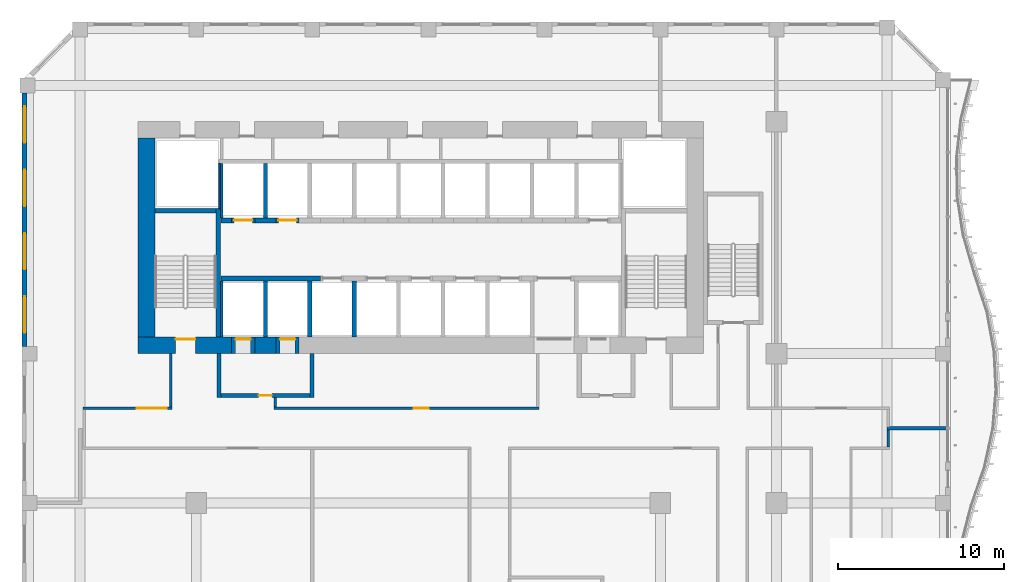
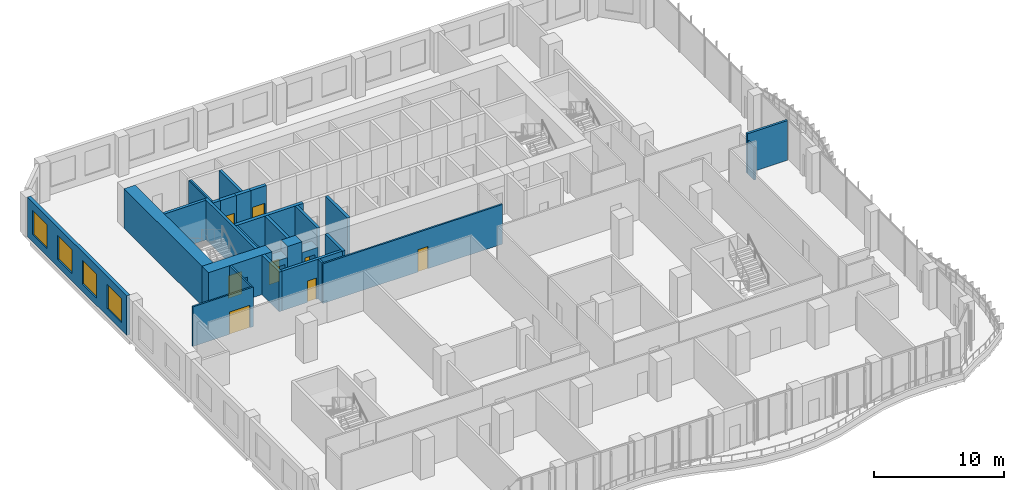
# One storey, part 15 of 28: 29 walls, 8 doors, 4 windows, 12 openings.
"""IFC4 building model written with IfcOpenShell, lengths in metres."""

from ifc_helpers import new_model, si_unit, direction, frame, frame_2d, origin, place, context, subcontext, project, spatial, rectangle, extrude, source, transform, mapped, material, layer, layer_set, type_object, element, fill, save


model = new_model("IFC4")

# Units and contexts
model_context = context("Model", 3, precision=1e-05, world=origin(), true_north=direction((0.0, 1.0)))
body_context = subcontext(model_context, "Body", "Model", "MODEL_VIEW")
ifc_project = project(units=[si_unit("LENGTHUNIT", "METRE"), si_unit("AREAUNIT", "SQUARE_METRE"), si_unit("VOLUMEUNIT", "CUBIC_METRE"), si_unit("PLANEANGLEUNIT", "RADIAN"), si_unit("MASSUNIT", "GRAM", prefix="KILO")], contexts=[model_context])

# Site, building, storey
site_placement = place(None, origin())
site = spatial("IfcSite", under=ifc_project, at=site_placement, CompositionType="ELEMENT")
building_placement = place(site_placement, origin())
building = spatial("IfcBuilding", under=site, at=building_placement, Name="Kilnfold Tower and Market Hall", CompositionType="ELEMENT")
storey_placement = place(building_placement, frame((0.0, 0.0, 75.199951171875)))
storey = spatial("IfcBuildingStorey", under=building, at=storey_placement, Name="L17", CompositionType="ELEMENT", Elevation=75.199951171875)

# Wall, opening, door
ifc_material_1 = material(Name="Gypsum board on steel studs", Category="steel")
ifc_layer_1 = layer(ifc_material_1, 0.14990234375)
ifc_layer_set_1 = layer_set([ifc_layer_1], Name="Gypsum board on steel studs")
wall_type_1 = type_object("IfcWallType", Name="WALL CORRIDOR 150", PredefinedType="PARTITIONING", material=ifc_layer_set_1)
wall_1_placement = place(storey_placement, frame((-19.324951171875, 4.699951171875, 0.0), z_axis=(0.0, 0.0, 1.0), x_axis=(1.0, 0.0, 0.0)))
wall_1 = element("IfcWall", 1, at=wall_1_placement, inside=storey, type_object=wall_type_1, Name="Partition LY13.7", PredefinedType="PARTITIONING", context=body_context, shape_type="SweptSolid", body=[
    extrude(rectangle(XDim=5.349853515625, YDim=0.14990234375, at=frame_2d((2.6748046875, 0.0))), origin(), (0.0, 0.0, 1.0), 3.719970703125),
])
opening_1_placement = place(wall_1_placement, frame((3.248046875, 0.0, 0.0)))
opening_1 = element("IfcOpeningElement", 2, at=opening_1_placement, cuts=wall_1, Name="Opening D5", PredefinedType="OPENING", context=body_context, shape_type="SweptSolid", body=[
    extrude(rectangle(XDim=1.800048828125, YDim=2.10009765625, at=frame_2d((0.89990234375, 1.050048828125))), frame((0.0, 0.0849609375, 0.0), z_axis=(0.0, -1.0, 0.0), x_axis=(1.0, 0.0, 0.0)), (0.0, 0.0, 1.0), 0.169921875),
])
ifc_material_2 = material(Name="Timber veneer door leaf in steel frame", Category="steel")
door_type_1 = type_object("IfcDoorType", Name="DOOR DOUBLE 1800 X2100", OperationType="NOTDEFINED", PredefinedType="DOOR", material=ifc_material_2)
door_1_placement = place(opening_1_placement, origin())
door_1 = element("IfcDoor", 3, at=door_1_placement, inside=storey, type_object=door_type_1, Name="Door D5", OperationType="DOUBLE_DOOR_SINGLE_SWING", OverallHeight=2.10009765625, OverallWidth=1.800048828125, PredefinedType="DOOR", context=body_context, shape_type="SweptSolid", body=[
    extrude(rectangle(XDim=1.800048828125, YDim=2.10009765625, at=frame_2d((0.89990234375, 1.050048828125))), frame((0.0, 0.02490234375, 0.0), z_axis=(0.0, -1.0, 0.0), x_axis=(1.0, 0.0, 0.0)), (0.0, 0.0, 1.0), 0.050048828125),
])
fill(opening_1, door_1)

# Walls
wall_2_placement = place(storey_placement, frame((-14.050048828125, 8.0, 0.0), z_axis=(0.0, 0.0, 1.0), x_axis=(0.0, -1.0, 0.0)))
element("IfcWall", 4, at=wall_2_placement, inside=storey, type_object=wall_type_1, Name="Partition LY13.8", PredefinedType="PARTITIONING", context=body_context, shape_type="SweptSolid", body=[
    extrude(rectangle(XDim=3.22509765625, YDim=0.14990234375, at=frame_2d((1.612548828125, 0.0))), origin(), (0.0, 0.0, 1.0), 3.719970703125),
])
wall_3_placement = place(storey_placement, frame((-7.72998046875, 4.77490234375, 0.0), z_axis=(0.0, 0.0, 1.0), x_axis=(0.0, 1.0, 0.0)))
element("IfcWall", 5, at=wall_3_placement, inside=storey, type_object=wall_type_1, Name="Partition LY13.9", PredefinedType="PARTITIONING", context=body_context, shape_type="SweptSolid", body=[
    extrude(rectangle(XDim=0.5751953125, YDim=0.14990234375, at=frame_2d((0.28759765625, 0.0))), origin(), (0.0, 0.0, 1.0), 3.719970703125),
])

# Wall, opening, door
wall_4_placement = place(storey_placement, frame((-7.804931640625, 4.699951171875, 0.0), z_axis=(0.0, 0.0, 1.0), x_axis=(1.0, 0.0, 0.0)))
wall_4 = element("IfcWall", 6, at=wall_4_placement, inside=storey, type_object=wall_type_1, Name="Partition LY13.10", PredefinedType="PARTITIONING", context=body_context, shape_type="SweptSolid", body=[
    extrude(rectangle(XDim=15.969970703125, YDim=0.14990234375, at=frame_2d((7.98486328125, 0.0))), origin(), (0.0, 0.0, 1.0), 3.719970703125),
])
opening_2_placement = place(wall_4_placement, frame((8.43896484375, 0.0, 0.0)))
opening_2 = element("IfcOpeningElement", 7, at=opening_2_placement, cuts=wall_4, Name="Opening D2", PredefinedType="OPENING", context=body_context, shape_type="SweptSolid", body=[
    extrude(rectangle(XDim=0.89990234375, YDim=2.10009765625, at=frame_2d((0.449951171875, 1.050048828125))), frame((0.0, 0.0849609375, 0.0), z_axis=(0.0, -1.0, 0.0), x_axis=(1.0, 0.0, 0.0)), (0.0, 0.0, 1.0), 0.169921875),
])
ifc_material_3 = material(Name="Timber veneer door leaf in steel frame", Category="steel")
door_type_2 = type_object("IfcDoorType", Name="DOOR ROOM 900 X2100", OperationType="NOTDEFINED", PredefinedType="DOOR", material=ifc_material_3)
door_2_placement = place(opening_2_placement, origin())
door_2 = element("IfcDoor", 8, at=door_2_placement, inside=storey, type_object=door_type_2, Name="Door D2", OperationType="SINGLE_SWING_LEFT", OverallHeight=2.10009765625, OverallWidth=0.89990234375, PredefinedType="DOOR", context=body_context, shape_type="SweptSolid", body=[
    extrude(rectangle(XDim=0.89990234375, YDim=2.10009765625, at=frame_2d((0.449951171875, 1.050048828125))), frame((0.0, 0.02490234375, 0.0), z_axis=(0.0, -1.0, 0.0), x_axis=(1.0, 0.0, 0.0)), (0.0, 0.0, 1.0), 0.050048828125),
])
fill(opening_2, door_2)

# Walls
wall_5_placement = place(storey_placement, frame((29.25, 2.375, 0.0), z_axis=(0.0, 0.0, 1.0), x_axis=(0.0, 1.0, 0.0)))
element("IfcWall", 9, at=wall_5_placement, inside=storey, type_object=wall_type_1, Name="Partition LY13.34", PredefinedType="PARTITIONING", context=body_context, shape_type="SweptSolid", body=[
    extrude(rectangle(XDim=1.034912109375, YDim=0.14990234375, at=frame_2d((0.517578125, 0.0))), origin(), (0.0, 0.0, 1.0), 3.070068359375),
])
ifc_material_4 = material(Name="Gypsum board on steel studs", Category="steel")
ifc_layer_2 = layer(ifc_material_4, 0.199951171875)
ifc_layer_set_2 = layer_set([ifc_layer_2], Name="Gypsum board on steel studs")
wall_type_2 = type_object("IfcWallType", Name="WALL PARTY 200", PredefinedType="PARTITIONING", material=ifc_layer_set_2)
wall_6_placement = place(storey_placement, frame((29.176025390625, 3.5, 0.0), z_axis=(0.0, 0.0, 1.0), x_axis=(1.0, 0.0, 0.0)))
element("IfcWall", 10, at=wall_6_placement, inside=storey, type_object=wall_type_2, Name="Partition LY13.60", PredefinedType="PARTITIONING", context=body_context, shape_type="SweptSolid", body=[
    extrude(rectangle(XDim=3.573974609375, YDim=0.199951171875, at=frame_2d((1.787109375, 0.0))), origin(), (0.0, 0.0, 1.0), 3.719970703125),
])

# Wall, opening, door
ifc_material_5 = material(Name="Concrete C80", Category="concrete")
ifc_layer_3 = layer(ifc_material_5, 1.0)
ifc_layer_set_3 = layer_set([ifc_layer_3], Name="Concrete C80")
wall_type_3 = type_object("IfcWallType", Name="CORE WALL 1000 C80", PredefinedType="SHEAR", material=ifc_layer_set_3)
shared_shape_1 = source(origin(), body_context, "Body", "SweptSolid", [
    extrude(rectangle(XDim=5.6298828125, YDim=1.0, at=frame_2d((2.81494140625, 0.0))), origin(), (0.0, 0.0, 1.0), 3.719970703125),
])
wall_7_placement = place(storey_placement, frame((-16.0, 8.5, 0.0), z_axis=(0.0, 0.0, 1.0), x_axis=(1.0, 0.0, 0.0)))
wall_7 = element("IfcWall", 11, at=wall_7_placement, inside=storey, type_object=wall_type_3, Name="Core outer wall south", PredefinedType="SHEAR", context=body_context, shape_type="MappedRepresentation", body=[
    mapped(shared_shape_1, transform((0.0, 0.0, 0.0))),
])
opening_3_placement = place(wall_7_placement, frame((2.25, 0.0, 0.0)))
opening_3 = element("IfcOpeningElement", 12, at=opening_3_placement, cuts=wall_7, Name="Opening SD1", PredefinedType="OPENING", context=body_context, shape_type="SweptSolid", body=[
    extrude(rectangle(XDim=1.199951171875, YDim=2.10009765625, at=frame_2d((0.60009765625, 1.050048828125))), frame((0.0, 0.510009765625, 0.0), z_axis=(0.0, -1.0, 0.0), x_axis=(1.0, 0.0, 0.0)), (0.0, 0.0, 1.0), 1.02001953125),
])
ifc_material_6 = material(Name="Steel door set with fire-resisting leaf", Category="steel")
door_type_3 = type_object("IfcDoorType", Name="STAIR FLOOR DOOR 1200X2100", OperationType="NOTDEFINED", PredefinedType="DOOR", material=ifc_material_6)
door_3_placement = place(opening_3_placement, origin())
door_3 = element("IfcDoor", 13, at=door_3_placement, inside=storey, type_object=door_type_3, Name="Exit stair ST1 door", OperationType="DOUBLE_DOOR_SINGLE_SWING", OverallHeight=2.10009765625, OverallWidth=1.199951171875, PredefinedType="DOOR", context=body_context, shape_type="SweptSolid", body=[
    extrude(rectangle(XDim=1.199951171875, YDim=2.10009765625, at=frame_2d((0.60009765625, 1.050048828125))), frame((0.0, 0.40478515625, 0.0), z_axis=(0.0, -1.0, 0.0), x_axis=(1.0, 0.0, 0.0)), (0.0, 0.0, 1.0), 0.050048828125),
])
fill(opening_3, door_3)

# Walls
shared_shape_2 = source(origin(), body_context, "Body", "SweptSolid", [
    extrude(rectangle(XDim=1.280029296875, YDim=1.0, at=frame_2d((0.64013671875, 0.0))), origin(), (0.0, 0.0, 1.0), 3.719970703125),
])
wall_8_placement = place(storey_placement, frame((-8.969970703125, 8.5, 0.0), z_axis=(0.0, 0.0, 1.0), x_axis=(1.0, 0.0, 0.0)))
element("IfcWall", 14, at=wall_8_placement, inside=storey, type_object=wall_type_3, Name="Core outer wall south", PredefinedType="SHEAR", context=body_context, shape_type="MappedRepresentation", body=[
    mapped(shared_shape_2, transform((0.0, 0.0, 0.0))),
])
shared_shape_3 = source(origin(), body_context, "Body", "SweptSolid", [
    extrude(rectangle(XDim=12.0, YDim=1.0, at=frame_2d((6.0, 0.0))), origin(), (0.0, 0.0, 1.0), 3.719970703125),
])
wall_9_placement = place(storey_placement, frame((-15.5, 9.0, 0.0), z_axis=(0.0, 0.0, 1.0), x_axis=(0.0, 1.0, 0.0)))
element("IfcWall", 15, at=wall_9_placement, inside=storey, type_object=wall_type_3, Name="Core outer wall west", PredefinedType="SHEAR", context=body_context, shape_type="MappedRepresentation", body=[
    mapped(shared_shape_3, transform((0.0, 0.0, 0.0))),
])
ifc_material_7 = material(Name="Concrete C80", Category="concrete")
ifc_layer_4 = layer(ifc_material_7, 0.25)
ifc_layer_set_4 = layer_set([ifc_layer_4], Name="Concrete C80")
wall_type_4 = type_object("IfcWallType", Name="CORE WALL 250 C80", PredefinedType="SHEAR", material=ifc_layer_set_4)
shared_shape_4 = source(origin(), body_context, "Body", "SweptSolid", [
    extrude(rectangle(XDim=7.75, YDim=0.25, at=frame_2d((3.875, 0.0))), origin(), (0.0, 0.0, 1.0), 3.719970703125),
])
wall_10_placement = place(storey_placement, frame((-11.175048828125, 9.0, 0.0), z_axis=(0.0, 0.0, 1.0), x_axis=(0.0, 1.0, 0.0)))
element("IfcWall", 16, at=wall_10_placement, inside=storey, type_object=wall_type_4, Name="Stair enclosure ST1", PredefinedType="SHEAR", context=body_context, shape_type="MappedRepresentation", body=[
    mapped(shared_shape_4, transform((0.0, 0.0, 0.0))),
])
shared_shape_5 = source(origin(), body_context, "Body", "SweptSolid", [
    extrude(rectangle(XDim=3.699951171875, YDim=0.25, at=frame_2d((1.85009765625, 0.0))), origin(), (0.0, 0.0, 1.0), 3.719970703125),
])
wall_11_placement = place(storey_placement, frame((-15.0, 16.625, 0.0), z_axis=(0.0, 0.0, 1.0), x_axis=(1.0, 0.0, 0.0)))
element("IfcWall", 17, at=wall_11_placement, inside=storey, type_object=wall_type_4, Name="Stair enclosure ST1", PredefinedType="SHEAR", context=body_context, shape_type="MappedRepresentation", body=[
    mapped(shared_shape_5, transform((0.0, 0.0, 0.0))),
])
ifc_material_8 = material(Name="Concrete C80", Category="concrete")
ifc_layer_5 = layer(ifc_material_8, 0.300048828125)
ifc_layer_set_5 = layer_set([ifc_layer_5], Name="Concrete C80")
wall_type_5 = type_object("IfcWallType", Name="CORE WALL 300 C80", PredefinedType="SHEAR", material=ifc_layer_set_5)
shared_shape_6 = source(origin(), body_context, "Body", "SweptSolid", [
    extrude(rectangle(XDim=6.0, YDim=0.300048828125, at=frame_2d((3.0, 0.0))), origin(), (0.0, 0.0, 1.0), 3.719970703125),
])
wall_12_placement = place(storey_placement, frame((-11.010009765625, 12.550048828125, 0.0), z_axis=(0.0, 0.0, 1.0), x_axis=(1.0, 0.0, 0.0)))
element("IfcWall", 18, at=wall_12_placement, inside=storey, type_object=wall_type_5, Name="Core spine wall", PredefinedType="SHEAR", context=body_context, shape_type="MappedRepresentation", body=[
    mapped(shared_shape_6, transform((0.0, 0.0, 0.0))),
])
shared_shape_7 = source(origin(), body_context, "Body", "SweptSolid", [
    extrude(rectangle(XDim=1.280029296875, YDim=0.300048828125, at=frame_2d((0.64013671875, 0.0))), origin(), (0.0, 0.0, 1.0), 3.719970703125),
])
wall_13_placement = place(storey_placement, frame((-8.969970703125, 16.050048828125, 0.0), z_axis=(0.0, 0.0, 1.0), x_axis=(1.0, 0.0, 0.0)))
element("IfcWall", 19, at=wall_13_placement, inside=storey, type_object=wall_type_5, Name="Core spine wall", PredefinedType="SHEAR", context=body_context, shape_type="MappedRepresentation", body=[
    mapped(shared_shape_7, transform((0.0, 0.0, 0.0))),
])
shared_shape_8 = source(origin(), body_context, "Body", "SweptSolid", [
    extrude(rectangle(XDim=0.639892578125, YDim=0.300048828125, at=frame_2d((0.31982421875, 0.0))), origin(), (0.0, 0.0, 1.0), 3.719970703125),
])
wall_14_placement = place(storey_placement, frame((-11.010009765625, 16.050048828125, 0.0), z_axis=(0.0, 0.0, 1.0), x_axis=(1.0, 0.0, 0.0)))
element("IfcWall", 20, at=wall_14_placement, inside=storey, type_object=wall_type_5, Name="Core spine wall", PredefinedType="SHEAR", context=body_context, shape_type="MappedRepresentation", body=[
    mapped(shared_shape_8, transform((0.0, 0.0, 0.0))),
])

# Wall, openings, windows
ifc_material_9 = material(Name="Precast concrete C50/60", Category="concrete")
ifc_layer_6 = layer(ifc_material_9, 0.300048828125)
ifc_layer_set_6 = layer_set([ifc_layer_6], Name="Precast concrete C50/60")
wall_type_6 = type_object("IfcWallType", Name="PRECAST WALL 300", PredefinedType="SOLIDWALL", material=ifc_layer_set_6)
shared_shape_9 = source(origin(), body_context, "Body", "SweptSolid", [
    extrude(rectangle(XDim=15.28173828125, YDim=0.300048828125, at=frame_2d((7.640869140625, 0.0))), origin(), (0.0, 0.0, 1.0), 3.719970703125),
])
wall_15_placement = place(storey_placement, frame((-22.85009765625, 23.731689453125, 0.0), z_axis=(0.0, 0.0, 1.0), x_axis=(0.0, -1.0, 0.0)))
wall_15 = element("IfcWall", 21, at=wall_15_placement, inside=storey, type_object=wall_type_6, Name="External wall L17 W", PredefinedType="SOLIDWALL", context=body_context, shape_type="MappedRepresentation", body=[
    mapped(shared_shape_9, transform((0.0, 0.0, 0.0))),
])
opening_4_placement = place(wall_15_placement, frame((0.810302734375, 0.0, 0.699951171875)))
opening_4 = element("IfcOpeningElement", 22, at=opening_4_placement, cuts=wall_15, Name="Opening W1", PredefinedType="OPENING", context=body_context, shape_type="SweptSolid", body=[
    extrude(rectangle(XDim=2.199951171875, YDim=2.25, at=frame_2d((1.10009765625, 1.125))), frame((0.0, 0.16015625, 0.0), z_axis=(0.0, -1.0, 0.0), x_axis=(1.0, 0.0, 0.0)), (0.0, 0.0, 1.0), 0.320068359375),
])
opening_5_placement = place(wall_15_placement, frame((4.630615234375, 0.0, 0.699951171875)))
opening_5 = element("IfcOpeningElement", 23, at=opening_5_placement, cuts=wall_15, Name="Opening W1", PredefinedType="OPENING", context=body_context, shape_type="SweptSolid", body=[
    extrude(rectangle(XDim=2.199951171875, YDim=2.25, at=frame_2d((1.10009765625, 1.125))), frame((0.0, 0.16015625, 0.0), z_axis=(0.0, -1.0, 0.0), x_axis=(1.0, 0.0, 0.0)), (0.0, 0.0, 1.0), 0.320068359375),
])
opening_6_placement = place(wall_15_placement, frame((8.451171875, 0.0, 0.699951171875)))
opening_6 = element("IfcOpeningElement", 24, at=opening_6_placement, cuts=wall_15, Name="Opening W1", PredefinedType="OPENING", context=body_context, shape_type="SweptSolid", body=[
    extrude(rectangle(XDim=2.199951171875, YDim=2.25, at=frame_2d((1.10009765625, 1.125))), frame((0.0, 0.16015625, 0.0), z_axis=(0.0, -1.0, 0.0), x_axis=(1.0, 0.0, 0.0)), (0.0, 0.0, 1.0), 0.320068359375),
])
opening_7_placement = place(wall_15_placement, frame((12.271484375, 0.0, 0.699951171875)))
opening_7 = element("IfcOpeningElement", 25, at=opening_7_placement, cuts=wall_15, Name="Opening W1", PredefinedType="OPENING", context=body_context, shape_type="SweptSolid", body=[
    extrude(rectangle(XDim=2.199951171875, YDim=2.25, at=frame_2d((1.10009765625, 1.125))), frame((0.0, 0.16015625, 0.0), z_axis=(0.0, -1.0, 0.0), x_axis=(1.0, 0.0, 0.0)), (0.0, 0.0, 1.0), 0.320068359375),
])
ifc_material_10 = material(Name="Aluminium frame and double glazing", Category="aluminium")
window_type = type_object("IfcWindowType", Name="WINDOW W1 2200X2250", PartitioningType="SINGLE_PANEL", PredefinedType="WINDOW", material=ifc_material_10)
window_1_placement = place(opening_4_placement, origin())
window_1 = element("IfcWindow", 26, at=window_1_placement, inside=storey, type_object=window_type, Name="Window W1 L17 W-1", OverallHeight=2.25, OverallWidth=2.199951171875, PartitioningType="SINGLE_PANEL", PredefinedType="WINDOW", context=body_context, shape_type="SweptSolid", body=[
    extrude(rectangle(XDim=2.199951171875, YDim=2.25, at=frame_2d((1.10009765625, 1.125))), frame((0.0, 0.030029296875, 0.0), z_axis=(0.0, -1.0, 0.0), x_axis=(1.0, 0.0, 0.0)), (0.0, 0.0, 1.0), 0.06005859375),
])
fill(opening_4, window_1)
window_2_placement = place(opening_5_placement, origin())
window_2 = element("IfcWindow", 27, at=window_2_placement, inside=storey, type_object=window_type, Name="Window W1 L17 W-2", OverallHeight=2.25, OverallWidth=2.199951171875, PartitioningType="SINGLE_PANEL", PredefinedType="WINDOW", context=body_context, shape_type="SweptSolid", body=[
    extrude(rectangle(XDim=2.199951171875, YDim=2.25, at=frame_2d((1.10009765625, 1.125))), frame((0.0, 0.030029296875, 0.0), z_axis=(0.0, -1.0, 0.0), x_axis=(1.0, 0.0, 0.0)), (0.0, 0.0, 1.0), 0.06005859375),
])
fill(opening_5, window_2)
window_3_placement = place(opening_6_placement, origin())
window_3 = element("IfcWindow", 28, at=window_3_placement, inside=storey, type_object=window_type, Name="Window W1 L17 W-3", OverallHeight=2.25, OverallWidth=2.199951171875, PartitioningType="SINGLE_PANEL", PredefinedType="WINDOW", context=body_context, shape_type="SweptSolid", body=[
    extrude(rectangle(XDim=2.199951171875, YDim=2.25, at=frame_2d((1.10009765625, 1.125))), frame((0.0, 0.030029296875, 0.0), z_axis=(0.0, -1.0, 0.0), x_axis=(1.0, 0.0, 0.0)), (0.0, 0.0, 1.0), 0.06005859375),
])
fill(opening_6, window_3)
window_4_placement = place(opening_7_placement, origin())
window_4 = element("IfcWindow", 29, at=window_4_placement, inside=storey, type_object=window_type, Name="Window W1 L17 W-4", OverallHeight=2.25, OverallWidth=2.199951171875, PartitioningType="SINGLE_PANEL", PredefinedType="WINDOW", context=body_context, shape_type="SweptSolid", body=[
    extrude(rectangle(XDim=2.199951171875, YDim=2.25, at=frame_2d((1.10009765625, 1.125))), frame((0.0, 0.030029296875, 0.0), z_axis=(0.0, -1.0, 0.0), x_axis=(1.0, 0.0, 0.0)), (0.0, 0.0, 1.0), 0.06005859375),
])
fill(opening_7, window_4)

# Wall, opening, door
ifc_material_11 = material(Name="Gypsum shaft wall system")
ifc_layer_7 = layer(ifc_material_11, 1.0)
ifc_layer_set_7 = layer_set([ifc_layer_7], Name="Gypsum shaft wall system")
wall_type_7 = type_object("IfcWallType", Name="LOBBY WALL 1000", PredefinedType="PARTITIONING", material=ifc_layer_set_7)
shared_shape_10 = source(origin(), body_context, "Body", "SweptSolid", [
    extrude(rectangle(XDim=1.400146484375, YDim=1.0, at=frame_2d((0.7001953125, 0.0))), origin(), (0.0, 0.0, 1.0), 2.699951171875),
])
wall_16_placement = place(storey_placement, frame((-10.3701171875, 8.5, 0.0), z_axis=(0.0, 0.0, 1.0), x_axis=(1.0, 0.0, 0.0)))
wall_16 = element("IfcWall", 30, at=wall_16_placement, inside=storey, type_object=wall_type_7, Name="Core wall infill", PredefinedType="PARTITIONING", context=body_context, shape_type="MappedRepresentation", body=[
    mapped(shared_shape_10, transform((0.0, 0.0, 0.0))),
])
opening_8_placement = place(wall_16_placement, frame((0.25, 0.0, 0.0)))
opening_8 = element("IfcOpeningElement", 31, at=opening_8_placement, cuts=wall_16, Name="Opening LD1", PredefinedType="OPENING", context=body_context, shape_type="SweptSolid", body=[
    extrude(rectangle(XDim=0.89990234375, YDim=2.10009765625, at=frame_2d((0.449951171875, 1.050048828125))), frame((0.0, 0.510009765625, 0.0), z_axis=(0.0, -1.0, 0.0), x_axis=(1.0, 0.0, 0.0)), (0.0, 0.0, 1.0), 1.02001953125),
])
ifc_material_12 = material(Name="Steel door set with fire-resisting leaf", Category="steel")
door_type_4 = type_object("IfcDoorType", Name="FIREFIGHTING LANDING DOOR 900X2100", OperationType="NOTDEFINED", PredefinedType="DOOR", material=ifc_material_12)
door_4_placement = place(opening_8_placement, origin())
door_4 = element("IfcDoor", 32, at=door_4_placement, inside=storey, type_object=door_type_4, Name="Landing door FF1", OperationType="SLIDING_TO_LEFT", OverallHeight=2.10009765625, OverallWidth=0.89990234375, PredefinedType="DOOR", context=body_context, shape_type="SweptSolid", body=[
    extrude(rectangle(XDim=0.89990234375, YDim=2.10009765625, at=frame_2d((0.449951171875, 1.050048828125))), frame((0.0, 0.40478515625, 0.0), z_axis=(0.0, -1.0, 0.0), x_axis=(1.0, 0.0, 0.0)), (0.0, 0.0, 1.0), 0.050048828125),
])
fill(opening_8, door_4)

shared_shape_11 = source(origin(), body_context, "Body", "SweptSolid", [
    extrude(rectangle(XDim=1.39990234375, YDim=1.0, at=frame_2d((0.699951171875, 0.0))), origin(), (0.0, 0.0, 1.0), 2.699951171875),
])
wall_17_placement = place(storey_placement, frame((-7.68994140625, 8.5, 0.0), z_axis=(0.0, 0.0, 1.0), x_axis=(1.0, 0.0, 0.0)))
wall_17 = element("IfcWall", 33, at=wall_17_placement, inside=storey, type_object=wall_type_7, Name="Core wall infill", PredefinedType="PARTITIONING", context=body_context, shape_type="MappedRepresentation", body=[
    mapped(shared_shape_11, transform((0.0, 0.0, 0.0))),
])
opening_9_placement = place(wall_17_placement, frame((0.25, 0.0, 0.0)))
opening_9 = element("IfcOpeningElement", 34, at=opening_9_placement, cuts=wall_17, Name="Opening LD1", PredefinedType="OPENING", context=body_context, shape_type="SweptSolid", body=[
    extrude(rectangle(XDim=0.89990234375, YDim=2.10009765625, at=frame_2d((0.449951171875, 1.050048828125))), frame((0.0, 0.510009765625, 0.0), z_axis=(0.0, -1.0, 0.0), x_axis=(1.0, 0.0, 0.0)), (0.0, 0.0, 1.0), 1.02001953125),
])
door_5_placement = place(opening_9_placement, origin())
door_5 = element("IfcDoor", 35, at=door_5_placement, inside=storey, type_object=door_type_4, Name="Landing door FF2", OperationType="SLIDING_TO_RIGHT", OverallHeight=2.10009765625, OverallWidth=0.89990234375, PredefinedType="DOOR", context=body_context, shape_type="SweptSolid", body=[
    extrude(rectangle(XDim=0.89990234375, YDim=2.10009765625, at=frame_2d((0.449951171875, 1.050048828125))), frame((0.0, 0.40478515625, 0.0), z_axis=(0.0, -1.0, 0.0), x_axis=(1.0, 0.0, 0.0)), (0.0, 0.0, 1.0), 0.050048828125),
])
fill(opening_9, door_5)

ifc_material_13 = material(Name="Gypsum shaft wall system")
ifc_layer_8 = layer(ifc_material_13, 0.300048828125)
ifc_layer_set_8 = layer_set([ifc_layer_8], Name="Gypsum shaft wall system")
wall_type_8 = type_object("IfcWallType", Name="SHAFT WALL 300", PredefinedType="PARTITIONING", material=ifc_layer_set_8)
shared_shape_12 = source(origin(), body_context, "Body", "SweptSolid", [
    extrude(rectangle(XDim=1.39990234375, YDim=0.300048828125, at=frame_2d((0.699951171875, 0.0))), origin(), (0.0, 0.0, 1.0), 3.719970703125),
])
wall_18_placement = place(storey_placement, frame((-7.68994140625, 16.050048828125, 0.0), z_axis=(0.0, 0.0, 1.0), x_axis=(1.0, 0.0, 0.0)))
wall_18 = element("IfcWall", 36, at=wall_18_placement, inside=storey, type_object=wall_type_8, Name="Lift shaft front wall", PredefinedType="PARTITIONING", context=body_context, shape_type="MappedRepresentation", body=[
    mapped(shared_shape_12, transform((0.0, 0.0, 0.0))),
])
opening_10_placement = place(wall_18_placement, frame((0.14990234375, 0.0, 0.0)))
opening_10 = element("IfcOpeningElement", 37, at=opening_10_placement, cuts=wall_18, Name="Opening LD2", PredefinedType="OPENING", context=body_context, shape_type="SweptSolid", body=[
    extrude(rectangle(XDim=1.10009765625, YDim=2.10009765625, at=frame_2d((0.550048828125, 1.050048828125))), frame((0.0, 0.16015625, 0.0), z_axis=(0.0, -1.0, 0.0), x_axis=(1.0, 0.0, 0.0)), (0.0, 0.0, 1.0), 0.320068359375),
])
ifc_material_14 = material(Name="Steel door set with fire-resisting leaf", Category="steel")
door_type_5 = type_object("IfcDoorType", Name="LANDING DOOR 1100X2100", OperationType="NOTDEFINED", PredefinedType="DOOR", material=ifc_material_14)
door_6_placement = place(opening_10_placement, origin())
door_6 = element("IfcDoor", 38, at=door_6_placement, inside=storey, type_object=door_type_5, Name="Landing door LR8", OperationType="DOUBLE_DOOR_SLIDING", OverallHeight=2.10009765625, OverallWidth=1.10009765625, PredefinedType="DOOR", context=body_context, shape_type="SweptSolid", body=[
    extrude(rectangle(XDim=1.10009765625, YDim=2.10009765625, at=frame_2d((0.550048828125, 1.050048828125))), frame((0.0, 0.02490234375, 0.0), z_axis=(0.0, -1.0, 0.0), x_axis=(1.0, 0.0, 0.0)), (0.0, 0.0, 1.0), 0.050048828125),
])
fill(opening_10, door_6)

shared_shape_13 = source(origin(), body_context, "Body", "SweptSolid", [
    extrude(rectangle(XDim=1.400146484375, YDim=0.300048828125, at=frame_2d((0.7001953125, 0.0))), origin(), (0.0, 0.0, 1.0), 3.719970703125),
])
wall_19_placement = place(storey_placement, frame((-10.3701171875, 16.050048828125, 0.0), z_axis=(0.0, 0.0, 1.0), x_axis=(1.0, 0.0, 0.0)))
wall_19 = element("IfcWall", 39, at=wall_19_placement, inside=storey, type_object=wall_type_8, Name="Lift shaft front wall", PredefinedType="PARTITIONING", context=body_context, shape_type="MappedRepresentation", body=[
    mapped(shared_shape_13, transform((0.0, 0.0, 0.0))),
])
opening_11_placement = place(wall_19_placement, frame((0.14990234375, 0.0, 0.0)))
opening_11 = element("IfcOpeningElement", 40, at=opening_11_placement, cuts=wall_19, Name="Opening LD2", PredefinedType="OPENING", context=body_context, shape_type="SweptSolid", body=[
    extrude(rectangle(XDim=1.10009765625, YDim=2.10009765625, at=frame_2d((0.550048828125, 1.050048828125))), frame((0.0, 0.16015625, 0.0), z_axis=(0.0, -1.0, 0.0), x_axis=(1.0, 0.0, 0.0)), (0.0, 0.0, 1.0), 0.320068359375),
])
door_7_placement = place(opening_11_placement, origin())
door_7 = element("IfcDoor", 41, at=door_7_placement, inside=storey, type_object=door_type_5, Name="Landing door LR7", OperationType="DOUBLE_DOOR_SLIDING", OverallHeight=2.10009765625, OverallWidth=1.10009765625, PredefinedType="DOOR", context=body_context, shape_type="SweptSolid", body=[
    extrude(rectangle(XDim=1.10009765625, YDim=2.10009765625, at=frame_2d((0.550048828125, 1.050048828125))), frame((0.0, 0.02490234375, 0.0), z_axis=(0.0, -1.0, 0.0), x_axis=(1.0, 0.0, 0.0)), (0.0, 0.0, 1.0), 0.050048828125),
])
fill(opening_11, door_7)

# Walls
ifc_material_15 = material(Name="Gypsum shaft wall system")
ifc_layer_9 = layer(ifc_material_15, 0.25)
ifc_layer_set_9 = layer_set([ifc_layer_9], Name="Gypsum shaft wall system")
wall_type_9 = type_object("IfcWallType", Name="LOBBY WALL 250", PredefinedType="PARTITIONING", material=ifc_layer_set_9)
shared_shape_14 = source(origin(), body_context, "Body", "SweptSolid", [
    extrude(rectangle(XDim=2.64990234375, YDim=0.25, at=frame_2d((1.324951171875, 0.0))), origin(), (0.0, 0.0, 1.0), 3.719970703125),
])
for number, where, z_axis, x_axis, name in (
    (42, (-11.135009765625, 5.35009765625, 0.0), (0.0, 0.0, 1.0), (0.0, 1.0, 0.0), "Firefighting lobby wall"),
    (43, (-5.52490234375, 5.35009765625, 0.0), (0.0, 0.0, 1.0), (0.0, 1.0, 0.0), "Firefighting lobby wall"),
):
    element("IfcWall", number, at=place(storey_placement, frame(where, z_axis=z_axis, x_axis=x_axis)), inside=storey, type_object=wall_type_9, Name=name, PredefinedType="PARTITIONING", context=body_context, shape_type="MappedRepresentation", body=[
        mapped(shared_shape_14, transform((0.0, 0.0, 0.0))),
    ])

# Wall, opening, door
shared_shape_15 = source(origin(), body_context, "Body", "SweptSolid", [
    extrude(rectangle(XDim=5.360107421875, YDim=0.25, at=frame_2d((2.68017578125, 0.0))), origin(), (0.0, 0.0, 1.0), 3.719970703125),
])
wall_20_placement = place(storey_placement, frame((-11.010009765625, 5.47509765625, 0.0), z_axis=(0.0, 0.0, 1.0), x_axis=(1.0, 0.0, 0.0)))
wall_20 = element("IfcWall", 44, at=wall_20_placement, inside=storey, type_object=wall_type_9, Name="Firefighting lobby wall", PredefinedType="PARTITIONING", context=body_context, shape_type="MappedRepresentation", body=[
    mapped(shared_shape_15, transform((0.0, 0.0, 0.0))),
])
opening_12_placement = place(wall_20_placement, frame((2.280029296875, 0.0, 0.0)))
opening_12 = element("IfcOpeningElement", 45, at=opening_12_placement, cuts=wall_20, Name="Opening VD1", PredefinedType="OPENING", context=body_context, shape_type="SweptSolid", body=[
    extrude(rectangle(XDim=0.800048828125, YDim=2.0, at=frame_2d((0.39990234375, 1.0))), frame((0.0, 0.135009765625, 0.0), z_axis=(0.0, -1.0, 0.0), x_axis=(1.0, 0.0, 0.0)), (0.0, 0.0, 1.0), 0.27001953125),
])
ifc_material_16 = material(Name="Steel door set with fire-resisting leaf", Category="steel")
door_type_6 = type_object("IfcDoorType", Name="FIREFIGHTING LOBBY DOOR 800X2000", OperationType="NOTDEFINED", PredefinedType="DOOR", material=ifc_material_16)
door_8_placement = place(opening_12_placement, origin())
door_8 = element("IfcDoor", 46, at=door_8_placement, inside=storey, type_object=door_type_6, Name="Firefighting lobby door", OperationType="SINGLE_SWING_LEFT", OverallHeight=2.0, OverallWidth=0.800048828125, PredefinedType="DOOR", context=body_context, shape_type="SweptSolid", body=[
    extrude(rectangle(XDim=0.800048828125, YDim=2.0, at=frame_2d((0.39990234375, 1.0))), frame((0.0, 0.02490234375, 0.0), z_axis=(0.0, -1.0, 0.0), x_axis=(1.0, 0.0, 0.0)), (0.0, 0.0, 1.0), 0.050048828125),
])
fill(opening_12, door_8)

# Walls
ifc_material_17 = material(Name="Gypsum shaft wall system")
ifc_layer_10 = layer(ifc_material_17, 0.1650390625)
ifc_layer_set_10 = layer_set([ifc_layer_10], Name="Gypsum shaft wall system")
wall_type_10 = type_object("IfcWallType", Name="SHAFT WALL 165", PredefinedType="PARTITIONING", material=ifc_layer_set_10)
shared_shape_16 = source(origin(), body_context, "Body", "SweptSolid", [
    extrude(rectangle(XDim=3.275146484375, YDim=0.1650390625, at=frame_2d((1.6376953125, 0.0))), origin(), (0.0, 0.0, 1.0), 3.719970703125),
])
wall_21_placement = place(storey_placement, frame((-10.967529296875, 16.199951171875, 0.0), z_axis=(0.0, 0.0, 1.0), x_axis=(0.0, 1.0, 0.0)))
element("IfcWall", 47, at=wall_21_placement, inside=storey, type_object=wall_type_10, Name="Lift shaft wall", PredefinedType="PARTITIONING", context=body_context, shape_type="MappedRepresentation", body=[
    mapped(shared_shape_16, transform((0.0, 0.0, 0.0))),
])
ifc_material_18 = material(Name="Gypsum shaft wall system")
ifc_layer_11 = layer(ifc_material_18, 0.25)
ifc_layer_set_11 = layer_set([ifc_layer_11], Name="Gypsum shaft wall system")
wall_type_11 = type_object("IfcWallType", Name="SHAFT WALL 250", PredefinedType="PARTITIONING", material=ifc_layer_set_11)
shared_shape_17 = source(origin(), body_context, "Body", "SweptSolid", [
    extrude(rectangle(XDim=3.275146484375, YDim=0.25, at=frame_2d((1.6376953125, 0.0))), origin(), (0.0, 0.0, 1.0), 3.719970703125),
])
wall_22_placement = place(storey_placement, frame((-8.330078125, 16.199951171875, 0.0), z_axis=(0.0, 0.0, 1.0), x_axis=(0.0, 1.0, 0.0)))
element("IfcWall", 48, at=wall_22_placement, inside=storey, type_object=wall_type_11, Name="Lift shaft wall", PredefinedType="PARTITIONING", context=body_context, shape_type="MappedRepresentation", body=[
    mapped(shared_shape_17, transform((0.0, 0.0, 0.0))),
])
ifc_material_19 = material(Name="Gypsum shaft wall system")
ifc_layer_12 = layer(ifc_material_19, 0.0849609375)
ifc_layer_set_12 = layer_set([ifc_layer_12], Name="Gypsum shaft wall system")
wall_type_12 = type_object("IfcWallType", Name="SHAFT WALL 85", PredefinedType="PARTITIONING", material=ifc_layer_set_12)
shared_shape_18 = source(origin(), body_context, "Body", "SweptSolid", [
    extrude(rectangle(XDim=2.72509765625, YDim=0.0849609375, at=frame_2d((1.362548828125, 0.0))), origin(), (0.0, 0.0, 1.0), 3.719970703125),
])
wall_23_placement = place(storey_placement, frame((-11.092529296875, 16.75, 0.0), z_axis=(0.0, 0.0, 1.0), x_axis=(0.0, 1.0, 0.0)))
element("IfcWall", 49, at=wall_23_placement, inside=storey, type_object=wall_type_12, Name="Lift shaft wall", PredefinedType="PARTITIONING", context=body_context, shape_type="MappedRepresentation", body=[
    mapped(shared_shape_18, transform((0.0, 0.0, 0.0))),
])
shared_shape_19 = source(origin(), body_context, "Body", "SweptSolid", [
    extrude(rectangle(XDim=3.39990234375, YDim=0.25, at=frame_2d((1.699951171875, 0.0))), origin(), (0.0, 0.0, 1.0), 3.719970703125),
])
for number, where, z_axis, x_axis, name in (
    (50, (-2.969970703125, 9.0, 0.0), (0.0, 0.0, 1.0), (0.0, 1.0, 0.0), "Lift shaft wall"),
    (51, (-5.64990234375, 9.0, 0.0), (0.0, 0.0, 1.0), (0.0, 1.0, 0.0), "Lift shaft wall"),
    (52, (-8.330078125, 9.0, 0.0), (0.0, 0.0, 1.0), (0.0, 1.0, 0.0), "Lift shaft wall"),
):
    element("IfcWall", number, at=place(storey_placement, frame(where, z_axis=z_axis, x_axis=x_axis)), inside=storey, type_object=wall_type_11, Name=name, PredefinedType="PARTITIONING", context=body_context, shape_type="MappedRepresentation", body=[
        mapped(shared_shape_19, transform((0.0, 0.0, 0.0))),
    ])
shared_shape_20 = source(origin(), body_context, "Body", "SweptSolid", [
    extrude(rectangle(XDim=3.39990234375, YDim=0.1650390625, at=frame_2d((1.699951171875, 0.0))), origin(), (0.0, 0.0, 1.0), 3.719970703125),
])
wall_24_placement = place(storey_placement, frame((-10.967529296875, 9.0, 0.0), z_axis=(0.0, 0.0, 1.0), x_axis=(0.0, 1.0, 0.0)))
element("IfcWall", 53, at=wall_24_placement, inside=storey, type_object=wall_type_10, Name="Lift shaft wall", PredefinedType="PARTITIONING", context=body_context, shape_type="MappedRepresentation", body=[
    mapped(shared_shape_20, transform((0.0, 0.0, 0.0))),
])

save(model, "model.ifc")
